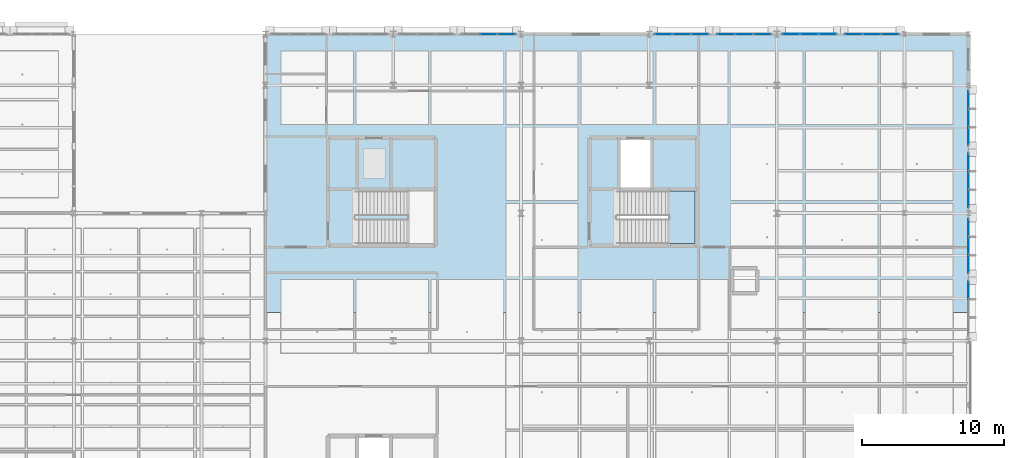
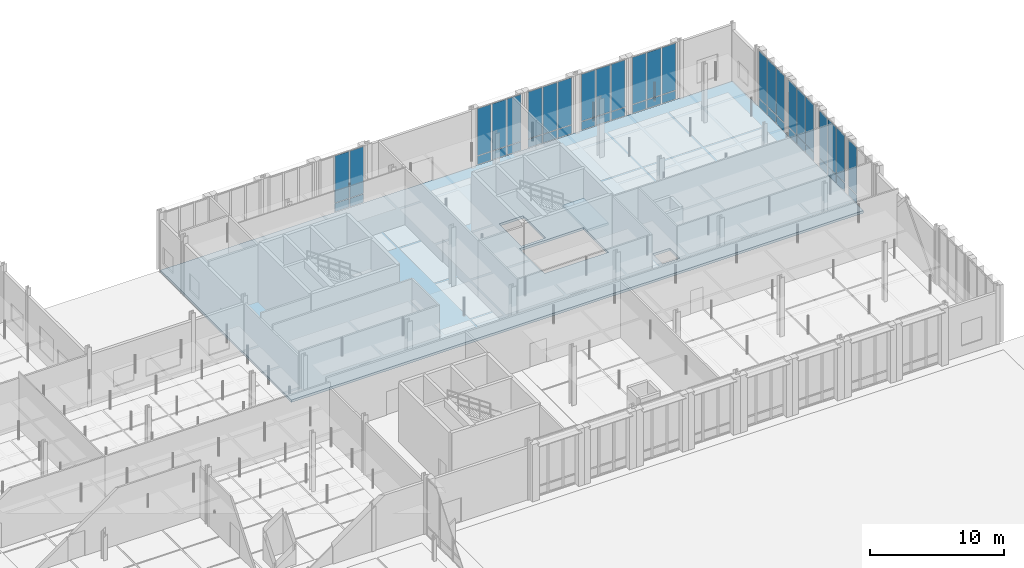
# One storey, part 75 of 180: 48 plates, 2 slabs, 10 elements without a shape of their own.
"""IFC4 building model written with IfcOpenShell, lengths in metres."""

from ifc_helpers import new_model, si_unit, direction, frame, origin, origin_2d, place, context, subcontext, project, spatial, polyline, rectangle, outline, extrude, material, layer, layer_set, type_object, element, aggregate, save


model = new_model("IFC4")

# Units and contexts
model_context = context("Model", 3, precision=1e-05, world=origin(), true_north=direction((0.0, 1.0)))
body_context = subcontext(model_context, "Body", "Model", "MODEL_VIEW")
ifc_project = project(units=[si_unit("LENGTHUNIT", "METRE"), si_unit("AREAUNIT", "SQUARE_METRE"), si_unit("VOLUMEUNIT", "CUBIC_METRE"), si_unit("PLANEANGLEUNIT", "RADIAN"), si_unit("MASSUNIT", "GRAM", prefix="KILO"), si_unit("THERMODYNAMICTEMPERATUREUNIT", "KELVIN"), si_unit("POWERUNIT", "WATT")], contexts=[model_context])

# Site, building, storey
site_placement = place(None, origin())
site = spatial("IfcSite", under=ifc_project, at=site_placement, CompositionType="ELEMENT")
building_placement = place(site_placement, origin())
building = spatial("IfcBuilding", under=site, at=building_placement, Name="Tallowbark Science Centre", CompositionType="ELEMENT")
storey_placement = place(building_placement, origin())
storey = spatial("IfcBuildingStorey", under=building, at=storey_placement, Name="L00", CompositionType="ELEMENT", Elevation=0.0)

# Curtain wall, plates
ifc_material_1 = material(Name="Unitised Thermally Broken Aluminium and Low-E Double Glazing", Category="aluminium")
curtain_wall_type = type_object("IfcCurtainWallType", Name="CW-SYS-FACADE", PredefinedType="NOTDEFINED", material=ifc_material_1)
curtain_wall_1_placement = place(storey_placement, origin())
curtain_wall_1 = element("IfcCurtainWall", 1, at=curtain_wall_1_placement, inside=storey, type_object=curtain_wall_type, Name="Unitised Curtain Wall OBS-N-121A CW-L00-094", PredefinedType="NOTDEFINED")
ifc_material_2 = material(Name="Double Glazed Argon Low-E Vision Glass", Category="glass")
ifc_layer_1 = layer(ifc_material_2, 0.028076171875)
ifc_layer_set_1 = layer_set([ifc_layer_1], Name="Double Glazed Argon Low-E Vision Glass")
plate_type_1 = type_object("IfcPlateType", Name="CWP-GLZ-28", PredefinedType="CURTAIN_PANEL", material=ifc_layer_set_1)
plate_1_placement = place(storey_placement, frame((129.483642578125, 111.60009765625, 0.054931640625), z_axis=(0.0, 0.0, 1.0), x_axis=(-1.0, 0.0, 0.0)))
plate_1 = element("IfcPlate", 2, at=plate_1_placement, type_object=plate_type_1, Name="CW-01 panel 1.1", PredefinedType="CURTAIN_PANEL", context=body_context, shape_type="SweptSolid", body=[
    extrude(rectangle(XDim=1.202392578125, YDim=0.028076171875, at=origin_2d()), origin(), (0.0, 0.0, 1.0), 0.767578125),
])
plate_2_placement = place(storey_placement, frame((129.483642578125, 111.60009765625, 0.87744140625), z_axis=(0.0, 0.0, 1.0), x_axis=(-1.0, 0.0, 0.0)))
plate_2 = element("IfcPlate", 3, at=plate_2_placement, type_object=plate_type_1, Name="CW-01 panel 1.2", PredefinedType="CURTAIN_PANEL", context=body_context, shape_type="SweptSolid", body=[
    extrude(rectangle(XDim=1.202392578125, YDim=0.028076171875, at=origin_2d()), origin(), (0.0, 0.0, 1.0), 4.28759765625),
])
plate_3_placement = place(storey_placement, frame((128.199951171875, 111.60009765625, 0.054931640625), z_axis=(0.0, 0.0, 1.0), x_axis=(-1.0, 0.0, 0.0)))
plate_3 = element("IfcPlate", 4, at=plate_3_placement, type_object=plate_type_1, Name="CW-01 panel 2.1", PredefinedType="CURTAIN_PANEL", context=body_context, shape_type="SweptSolid", body=[
    extrude(rectangle(XDim=1.235107421875, YDim=0.028076171875, at=origin_2d()), origin(), (0.0, 0.0, 1.0), 0.767578125),
])
plate_4_placement = place(storey_placement, frame((128.199951171875, 111.60009765625, 0.87744140625), z_axis=(0.0, 0.0, 1.0), x_axis=(-1.0, 0.0, 0.0)))
plate_4 = element("IfcPlate", 5, at=plate_4_placement, type_object=plate_type_1, Name="CW-01 panel 2.2", PredefinedType="CURTAIN_PANEL", context=body_context, shape_type="SweptSolid", body=[
    extrude(rectangle(XDim=1.235107421875, YDim=0.028076171875, at=origin_2d()), origin(), (0.0, 0.0, 1.0), 4.28759765625),
])
aggregate(curtain_wall_1, [plate_1, plate_2, plate_3, plate_4])

curtain_wall_2_placement = place(storey_placement, origin())
curtain_wall_2 = element("IfcCurtainWall", 6, at=curtain_wall_2_placement, inside=storey, type_object=curtain_wall_type, Name="Unitised Curtain Wall OBS-N-139A CW-L00-100", PredefinedType="NOTDEFINED")
plate_5_placement = place(storey_placement, frame((147.483642578125, 111.60009765625, 0.054931640625), z_axis=(0.0, 0.0, 1.0), x_axis=(-1.0, 0.0, 0.0)))
plate_5 = element("IfcPlate", 7, at=plate_5_placement, type_object=plate_type_1, Name="CW-01 panel 1.1", PredefinedType="CURTAIN_PANEL", context=body_context, shape_type="SweptSolid", body=[
    extrude(rectangle(XDim=1.202392578125, YDim=0.028076171875, at=origin_2d()), origin(), (0.0, 0.0, 1.0), 0.767578125),
])
plate_6_placement = place(storey_placement, frame((147.483642578125, 111.60009765625, 0.87744140625), z_axis=(0.0, 0.0, 1.0), x_axis=(-1.0, 0.0, 0.0)))
plate_6 = element("IfcPlate", 8, at=plate_6_placement, type_object=plate_type_1, Name="CW-01 panel 1.2", PredefinedType="CURTAIN_PANEL", context=body_context, shape_type="SweptSolid", body=[
    extrude(rectangle(XDim=1.202392578125, YDim=0.028076171875, at=origin_2d()), origin(), (0.0, 0.0, 1.0), 4.28759765625),
])
plate_7_placement = place(storey_placement, frame((146.199951171875, 111.60009765625, 0.054931640625), z_axis=(0.0, 0.0, 1.0), x_axis=(-1.0, 0.0, 0.0)))
plate_7 = element("IfcPlate", 9, at=plate_7_placement, type_object=plate_type_1, Name="CW-01 panel 2.1", PredefinedType="CURTAIN_PANEL", context=body_context, shape_type="SweptSolid", body=[
    extrude(rectangle(XDim=1.235107421875, YDim=0.028076171875, at=origin_2d()), origin(), (0.0, 0.0, 1.0), 0.767578125),
])
plate_8_placement = place(storey_placement, frame((146.199951171875, 111.60009765625, 0.87744140625), z_axis=(0.0, 0.0, 1.0), x_axis=(-1.0, 0.0, 0.0)))
plate_8 = element("IfcPlate", 10, at=plate_8_placement, type_object=plate_type_1, Name="CW-01 panel 2.2", PredefinedType="CURTAIN_PANEL", context=body_context, shape_type="SweptSolid", body=[
    extrude(rectangle(XDim=1.235107421875, YDim=0.028076171875, at=origin_2d()), origin(), (0.0, 0.0, 1.0), 4.28759765625),
])
plate_9_placement = place(storey_placement, frame((144.916259765625, 111.60009765625, 0.054931640625), z_axis=(0.0, 0.0, 1.0), x_axis=(-1.0, 0.0, 0.0)))
plate_9 = element("IfcPlate", 11, at=plate_9_placement, type_object=plate_type_1, Name="CW-01 panel 3.1", PredefinedType="CURTAIN_PANEL", context=body_context, shape_type="SweptSolid", body=[
    extrude(rectangle(XDim=1.202392578125, YDim=0.028076171875, at=origin_2d()), origin(), (0.0, 0.0, 1.0), 0.767578125),
])
plate_10_placement = place(storey_placement, frame((144.916259765625, 111.60009765625, 0.87744140625), z_axis=(0.0, 0.0, 1.0), x_axis=(-1.0, 0.0, 0.0)))
plate_10 = element("IfcPlate", 12, at=plate_10_placement, type_object=plate_type_1, Name="CW-01 panel 3.2", PredefinedType="CURTAIN_PANEL", context=body_context, shape_type="SweptSolid", body=[
    extrude(rectangle(XDim=1.202392578125, YDim=0.028076171875, at=origin_2d()), origin(), (0.0, 0.0, 1.0), 4.28759765625),
])
aggregate(curtain_wall_2, [plate_5, plate_6, plate_7, plate_8, plate_9, plate_10])

curtain_wall_3_placement = place(storey_placement, origin())
curtain_wall_3 = element("IfcCurtainWall", 13, at=curtain_wall_3_placement, inside=storey, type_object=curtain_wall_type, Name="Unitised Curtain Wall OBS-N-139B CW-L00-101", PredefinedType="NOTDEFINED")
plate_11_placement = place(storey_placement, frame((143.083740234375, 111.60009765625, 0.054931640625), z_axis=(0.0, 0.0, 1.0), x_axis=(-1.0, 0.0, 0.0)))
plate_11 = element("IfcPlate", 14, at=plate_11_placement, type_object=plate_type_1, Name="CW-01 panel 1.1", PredefinedType="CURTAIN_PANEL", context=body_context, shape_type="SweptSolid", body=[
    extrude(rectangle(XDim=1.202392578125, YDim=0.028076171875, at=origin_2d()), origin(), (0.0, 0.0, 1.0), 0.767578125),
])
plate_12_placement = place(storey_placement, frame((143.083740234375, 111.60009765625, 0.87744140625), z_axis=(0.0, 0.0, 1.0), x_axis=(-1.0, 0.0, 0.0)))
plate_12 = element("IfcPlate", 15, at=plate_12_placement, type_object=plate_type_1, Name="CW-01 panel 1.2", PredefinedType="CURTAIN_PANEL", context=body_context, shape_type="SweptSolid", body=[
    extrude(rectangle(XDim=1.202392578125, YDim=0.028076171875, at=origin_2d()), origin(), (0.0, 0.0, 1.0), 4.28759765625),
])
plate_13_placement = place(storey_placement, frame((141.800048828125, 111.60009765625, 0.054931640625), z_axis=(0.0, 0.0, 1.0), x_axis=(-1.0, 0.0, 0.0)))
plate_13 = element("IfcPlate", 16, at=plate_13_placement, type_object=plate_type_1, Name="CW-01 panel 2.1", PredefinedType="CURTAIN_PANEL", context=body_context, shape_type="SweptSolid", body=[
    extrude(rectangle(XDim=1.235107421875, YDim=0.028076171875, at=origin_2d()), origin(), (0.0, 0.0, 1.0), 0.767578125),
])
plate_14_placement = place(storey_placement, frame((141.800048828125, 111.60009765625, 0.87744140625), z_axis=(0.0, 0.0, 1.0), x_axis=(-1.0, 0.0, 0.0)))
plate_14 = element("IfcPlate", 17, at=plate_14_placement, type_object=plate_type_1, Name="CW-01 panel 2.2", PredefinedType="CURTAIN_PANEL", context=body_context, shape_type="SweptSolid", body=[
    extrude(rectangle(XDim=1.235107421875, YDim=0.028076171875, at=origin_2d()), origin(), (0.0, 0.0, 1.0), 4.28759765625),
])
plate_15_placement = place(storey_placement, frame((140.516357421875, 111.60009765625, 0.054931640625), z_axis=(0.0, 0.0, 1.0), x_axis=(-1.0, 0.0, 0.0)))
plate_15 = element("IfcPlate", 18, at=plate_15_placement, type_object=plate_type_1, Name="CW-01 panel 3.1", PredefinedType="CURTAIN_PANEL", context=body_context, shape_type="SweptSolid", body=[
    extrude(rectangle(XDim=1.202392578125, YDim=0.028076171875, at=origin_2d()), origin(), (0.0, 0.0, 1.0), 0.767578125),
])
plate_16_placement = place(storey_placement, frame((140.516357421875, 111.60009765625, 0.87744140625), z_axis=(0.0, 0.0, 1.0), x_axis=(-1.0, 0.0, 0.0)))
plate_16 = element("IfcPlate", 19, at=plate_16_placement, type_object=plate_type_1, Name="CW-01 panel 3.2", PredefinedType="CURTAIN_PANEL", context=body_context, shape_type="SweptSolid", body=[
    extrude(rectangle(XDim=1.202392578125, YDim=0.028076171875, at=origin_2d()), origin(), (0.0, 0.0, 1.0), 4.28759765625),
])
aggregate(curtain_wall_3, [plate_11, plate_12, plate_13, plate_14, plate_15, plate_16])

curtain_wall_4_placement = place(storey_placement, origin())
curtain_wall_4 = element("IfcCurtainWall", 20, at=curtain_wall_4_placement, inside=storey, type_object=curtain_wall_type, Name="Unitised Curtain Wall OBS-N-148A CW-L00-104", PredefinedType="NOTDEFINED")
plate_17_placement = place(storey_placement, frame((156.483642578125, 111.60009765625, 0.054931640625), z_axis=(0.0, 0.0, 1.0), x_axis=(-1.0, 0.0, 0.0)))
plate_17 = element("IfcPlate", 21, at=plate_17_placement, type_object=plate_type_1, Name="CW-01 panel 1.1", PredefinedType="CURTAIN_PANEL", context=body_context, shape_type="SweptSolid", body=[
    extrude(rectangle(XDim=1.202392578125, YDim=0.028076171875, at=origin_2d()), origin(), (0.0, 0.0, 1.0), 0.767578125),
])
plate_18_placement = place(storey_placement, frame((156.483642578125, 111.60009765625, 0.87744140625), z_axis=(0.0, 0.0, 1.0), x_axis=(-1.0, 0.0, 0.0)))
plate_18 = element("IfcPlate", 22, at=plate_18_placement, type_object=plate_type_1, Name="CW-01 panel 1.2", PredefinedType="CURTAIN_PANEL", context=body_context, shape_type="SweptSolid", body=[
    extrude(rectangle(XDim=1.202392578125, YDim=0.028076171875, at=origin_2d()), origin(), (0.0, 0.0, 1.0), 4.28759765625),
])
plate_19_placement = place(storey_placement, frame((155.199951171875, 111.60009765625, 0.054931640625), z_axis=(0.0, 0.0, 1.0), x_axis=(-1.0, 0.0, 0.0)))
plate_19 = element("IfcPlate", 23, at=plate_19_placement, type_object=plate_type_1, Name="CW-01 panel 2.1", PredefinedType="CURTAIN_PANEL", context=body_context, shape_type="SweptSolid", body=[
    extrude(rectangle(XDim=1.235107421875, YDim=0.028076171875, at=origin_2d()), origin(), (0.0, 0.0, 1.0), 0.767578125),
])
plate_20_placement = place(storey_placement, frame((155.199951171875, 111.60009765625, 0.87744140625), z_axis=(0.0, 0.0, 1.0), x_axis=(-1.0, 0.0, 0.0)))
plate_20 = element("IfcPlate", 24, at=plate_20_placement, type_object=plate_type_1, Name="CW-01 panel 2.2", PredefinedType="CURTAIN_PANEL", context=body_context, shape_type="SweptSolid", body=[
    extrude(rectangle(XDim=1.235107421875, YDim=0.028076171875, at=origin_2d()), origin(), (0.0, 0.0, 1.0), 4.28759765625),
])
plate_21_placement = place(storey_placement, frame((153.916259765625, 111.60009765625, 0.054931640625), z_axis=(0.0, 0.0, 1.0), x_axis=(-1.0, 0.0, 0.0)))
plate_21 = element("IfcPlate", 25, at=plate_21_placement, type_object=plate_type_1, Name="CW-01 panel 3.1", PredefinedType="CURTAIN_PANEL", context=body_context, shape_type="SweptSolid", body=[
    extrude(rectangle(XDim=1.202392578125, YDim=0.028076171875, at=origin_2d()), origin(), (0.0, 0.0, 1.0), 0.767578125),
])
plate_22_placement = place(storey_placement, frame((153.916259765625, 111.60009765625, 0.87744140625), z_axis=(0.0, 0.0, 1.0), x_axis=(-1.0, 0.0, 0.0)))
plate_22 = element("IfcPlate", 26, at=plate_22_placement, type_object=plate_type_1, Name="CW-01 panel 3.2", PredefinedType="CURTAIN_PANEL", context=body_context, shape_type="SweptSolid", body=[
    extrude(rectangle(XDim=1.202392578125, YDim=0.028076171875, at=origin_2d()), origin(), (0.0, 0.0, 1.0), 4.28759765625),
])
aggregate(curtain_wall_4, [plate_17, plate_18, plate_19, plate_20, plate_21, plate_22])

curtain_wall_5_placement = place(storey_placement, origin())
curtain_wall_5 = element("IfcCurtainWall", 27, at=curtain_wall_5_placement, inside=storey, type_object=curtain_wall_type, Name="Unitised Curtain Wall OBS-E-90B CW-L00-109", PredefinedType="NOTDEFINED")
plate_23_placement = place(storey_placement, frame((162.0, 95.416259765625, 0.054931640625), z_axis=(0.0, 0.0, 1.0), x_axis=(0.0, 1.0, 0.0)))
plate_23 = element("IfcPlate", 28, at=plate_23_placement, type_object=plate_type_1, Name="CW-01 panel 1.1", PredefinedType="CURTAIN_PANEL", context=body_context, shape_type="SweptSolid", body=[
    extrude(rectangle(XDim=1.202392578125, YDim=0.028076171875, at=origin_2d()), origin(), (0.0, 0.0, 1.0), 0.767578125),
])
plate_24_placement = place(storey_placement, frame((162.0, 95.416259765625, 0.87744140625), z_axis=(0.0, 0.0, 1.0), x_axis=(0.0, 1.0, 0.0)))
plate_24 = element("IfcPlate", 29, at=plate_24_placement, type_object=plate_type_1, Name="CW-01 panel 1.2", PredefinedType="CURTAIN_PANEL", context=body_context, shape_type="SweptSolid", body=[
    extrude(rectangle(XDim=1.202392578125, YDim=0.028076171875, at=origin_2d()), origin(), (0.0, 0.0, 1.0), 4.28759765625),
])
plate_25_placement = place(storey_placement, frame((162.0, 96.699951171875, 0.054931640625), z_axis=(0.0, 0.0, 1.0), x_axis=(0.0, 1.0, 0.0)))
plate_25 = element("IfcPlate", 30, at=plate_25_placement, type_object=plate_type_1, Name="CW-01 panel 2.1", PredefinedType="CURTAIN_PANEL", context=body_context, shape_type="SweptSolid", body=[
    extrude(rectangle(XDim=1.235107421875, YDim=0.028076171875, at=origin_2d()), origin(), (0.0, 0.0, 1.0), 0.767578125),
])
plate_26_placement = place(storey_placement, frame((162.0, 96.699951171875, 0.87744140625), z_axis=(0.0, 0.0, 1.0), x_axis=(0.0, 1.0, 0.0)))
plate_26 = element("IfcPlate", 31, at=plate_26_placement, type_object=plate_type_1, Name="CW-01 panel 2.2", PredefinedType="CURTAIN_PANEL", context=body_context, shape_type="SweptSolid", body=[
    extrude(rectangle(XDim=1.235107421875, YDim=0.028076171875, at=origin_2d()), origin(), (0.0, 0.0, 1.0), 4.28759765625),
])
plate_27_placement = place(storey_placement, frame((162.0, 97.983642578125, 0.054931640625), z_axis=(0.0, 0.0, 1.0), x_axis=(0.0, 1.0, 0.0)))
plate_27 = element("IfcPlate", 32, at=plate_27_placement, type_object=plate_type_1, Name="CW-01 panel 3.1", PredefinedType="CURTAIN_PANEL", context=body_context, shape_type="SweptSolid", body=[
    extrude(rectangle(XDim=1.202392578125, YDim=0.028076171875, at=origin_2d()), origin(), (0.0, 0.0, 1.0), 0.767578125),
])
plate_28_placement = place(storey_placement, frame((162.0, 97.983642578125, 0.87744140625), z_axis=(0.0, 0.0, 1.0), x_axis=(0.0, 1.0, 0.0)))
plate_28 = element("IfcPlate", 33, at=plate_28_placement, type_object=plate_type_1, Name="CW-01 panel 3.2", PredefinedType="CURTAIN_PANEL", context=body_context, shape_type="SweptSolid", body=[
    extrude(rectangle(XDim=1.202392578125, YDim=0.028076171875, at=origin_2d()), origin(), (0.0, 0.0, 1.0), 4.28759765625),
])
aggregate(curtain_wall_5, [plate_23, plate_24, plate_25, plate_26, plate_27, plate_28])

curtain_wall_6_placement = place(storey_placement, origin())
curtain_wall_6 = element("IfcCurtainWall", 34, at=curtain_wall_6_placement, inside=storey, type_object=curtain_wall_type, Name="Unitised Curtain Wall OBS-E-99A CW-L00-110", PredefinedType="NOTDEFINED")
plate_29_placement = place(storey_placement, frame((162.0, 100.016357421875, 0.054931640625), z_axis=(0.0, 0.0, 1.0), x_axis=(0.0, 1.0, 0.0)))
plate_29 = element("IfcPlate", 35, at=plate_29_placement, type_object=plate_type_1, Name="CW-01 panel 1.1", PredefinedType="CURTAIN_PANEL", context=body_context, shape_type="SweptSolid", body=[
    extrude(rectangle(XDim=1.202392578125, YDim=0.028076171875, at=origin_2d()), origin(), (0.0, 0.0, 1.0), 0.767578125),
])
plate_30_placement = place(storey_placement, frame((162.0, 100.016357421875, 0.87744140625), z_axis=(0.0, 0.0, 1.0), x_axis=(0.0, 1.0, 0.0)))
plate_30 = element("IfcPlate", 36, at=plate_30_placement, type_object=plate_type_1, Name="CW-01 panel 1.2", PredefinedType="CURTAIN_PANEL", context=body_context, shape_type="SweptSolid", body=[
    extrude(rectangle(XDim=1.202392578125, YDim=0.028076171875, at=origin_2d()), origin(), (0.0, 0.0, 1.0), 4.28759765625),
])
plate_31_placement = place(storey_placement, frame((162.0, 101.300048828125, 0.054931640625), z_axis=(0.0, 0.0, 1.0), x_axis=(0.0, 1.0, 0.0)))
plate_31 = element("IfcPlate", 37, at=plate_31_placement, type_object=plate_type_1, Name="CW-01 panel 2.1", PredefinedType="CURTAIN_PANEL", context=body_context, shape_type="SweptSolid", body=[
    extrude(rectangle(XDim=1.235107421875, YDim=0.028076171875, at=origin_2d()), origin(), (0.0, 0.0, 1.0), 0.767578125),
])
plate_32_placement = place(storey_placement, frame((162.0, 101.300048828125, 0.87744140625), z_axis=(0.0, 0.0, 1.0), x_axis=(0.0, 1.0, 0.0)))
plate_32 = element("IfcPlate", 38, at=plate_32_placement, type_object=plate_type_1, Name="CW-01 panel 2.2", PredefinedType="CURTAIN_PANEL", context=body_context, shape_type="SweptSolid", body=[
    extrude(rectangle(XDim=1.235107421875, YDim=0.028076171875, at=origin_2d()), origin(), (0.0, 0.0, 1.0), 4.28759765625),
])
plate_33_placement = place(storey_placement, frame((162.0, 102.583740234375, 0.054931640625), z_axis=(0.0, 0.0, 1.0), x_axis=(0.0, 1.0, 0.0)))
plate_33 = element("IfcPlate", 39, at=plate_33_placement, type_object=plate_type_1, Name="CW-01 panel 3.1", PredefinedType="CURTAIN_PANEL", context=body_context, shape_type="SweptSolid", body=[
    extrude(rectangle(XDim=1.202392578125, YDim=0.028076171875, at=origin_2d()), origin(), (0.0, 0.0, 1.0), 0.767578125),
])
plate_34_placement = place(storey_placement, frame((162.0, 102.583740234375, 0.87744140625), z_axis=(0.0, 0.0, 1.0), x_axis=(0.0, 1.0, 0.0)))
plate_34 = element("IfcPlate", 40, at=plate_34_placement, type_object=plate_type_1, Name="CW-01 panel 3.2", PredefinedType="CURTAIN_PANEL", context=body_context, shape_type="SweptSolid", body=[
    extrude(rectangle(XDim=1.202392578125, YDim=0.028076171875, at=origin_2d()), origin(), (0.0, 0.0, 1.0), 4.28759765625),
])
aggregate(curtain_wall_6, [plate_29, plate_30, plate_31, plate_32, plate_33, plate_34])

curtain_wall_7_placement = place(storey_placement, origin())
curtain_wall_7 = element("IfcCurtainWall", 41, at=curtain_wall_7_placement, inside=storey, type_object=curtain_wall_type, Name="Unitised Curtain Wall OBS-N-148B CW-L00-105", PredefinedType="NOTDEFINED")
ifc_material_3 = material(Name="Ceramic-Fritted Insulated Glass Spandrel Panel", Category="glass")
ifc_layer_2 = layer(ifc_material_3, 0.031982421875)
ifc_layer_set_2 = layer_set([ifc_layer_2], Name="Ceramic-Fritted Insulated Glass Spandrel Panel")
plate_type_2 = type_object("IfcPlateType", Name="CWP-SPN-32", PredefinedType="CURTAIN_PANEL", material=ifc_layer_set_2)
plate_35_placement = place(storey_placement, frame((152.083740234375, 111.60009765625, 0.054931640625), z_axis=(0.0, 0.0, 1.0), x_axis=(-1.0, 0.0, 0.0)))
plate_35 = element("IfcPlate", 42, at=plate_35_placement, type_object=plate_type_2, Name="CW-01 panel 1.1", PredefinedType="CURTAIN_PANEL", context=body_context, shape_type="SweptSolid", body=[
    extrude(rectangle(XDim=1.202392578125, YDim=0.031982421875, at=origin_2d()), origin(), (0.0, 0.0, 1.0), 0.767578125),
])
plate_36_placement = place(storey_placement, frame((152.083740234375, 111.60009765625, 0.87744140625), z_axis=(0.0, 0.0, 1.0), x_axis=(-1.0, 0.0, 0.0)))
plate_36 = element("IfcPlate", 43, at=plate_36_placement, type_object=plate_type_2, Name="CW-01 panel 1.2", PredefinedType="CURTAIN_PANEL", context=body_context, shape_type="SweptSolid", body=[
    extrude(rectangle(XDim=1.202392578125, YDim=0.031982421875, at=origin_2d()), origin(), (0.0, 0.0, 1.0), 4.28759765625),
])
plate_37_placement = place(storey_placement, frame((150.800048828125, 111.60009765625, 0.054931640625), z_axis=(0.0, 0.0, 1.0), x_axis=(-1.0, 0.0, 0.0)))
plate_37 = element("IfcPlate", 44, at=plate_37_placement, type_object=plate_type_2, Name="CW-01 panel 2.1", PredefinedType="CURTAIN_PANEL", context=body_context, shape_type="SweptSolid", body=[
    extrude(rectangle(XDim=1.235107421875, YDim=0.031982421875, at=origin_2d()), origin(), (0.0, 0.0, 1.0), 0.767578125),
])
plate_38_placement = place(storey_placement, frame((150.800048828125, 111.60009765625, 0.87744140625), z_axis=(0.0, 0.0, 1.0), x_axis=(-1.0, 0.0, 0.0)))
plate_38 = element("IfcPlate", 45, at=plate_38_placement, type_object=plate_type_2, Name="CW-01 panel 2.2", PredefinedType="CURTAIN_PANEL", context=body_context, shape_type="SweptSolid", body=[
    extrude(rectangle(XDim=1.235107421875, YDim=0.031982421875, at=origin_2d()), origin(), (0.0, 0.0, 1.0), 4.28759765625),
])
plate_39_placement = place(storey_placement, frame((149.516357421875, 111.60009765625, 0.054931640625), z_axis=(0.0, 0.0, 1.0), x_axis=(-1.0, 0.0, 0.0)))
plate_39 = element("IfcPlate", 46, at=plate_39_placement, type_object=plate_type_2, Name="CW-01 panel 3.1", PredefinedType="CURTAIN_PANEL", context=body_context, shape_type="SweptSolid", body=[
    extrude(rectangle(XDim=1.202392578125, YDim=0.031982421875, at=origin_2d()), origin(), (0.0, 0.0, 1.0), 0.767578125),
])
plate_40_placement = place(storey_placement, frame((149.516357421875, 111.60009765625, 0.87744140625), z_axis=(0.0, 0.0, 1.0), x_axis=(-1.0, 0.0, 0.0)))
plate_40 = element("IfcPlate", 47, at=plate_40_placement, type_object=plate_type_2, Name="CW-01 panel 3.2", PredefinedType="CURTAIN_PANEL", context=body_context, shape_type="SweptSolid", body=[
    extrude(rectangle(XDim=1.202392578125, YDim=0.031982421875, at=origin_2d()), origin(), (0.0, 0.0, 1.0), 4.28759765625),
])
aggregate(curtain_wall_7, [plate_35, plate_36, plate_37, plate_38, plate_39, plate_40])

curtain_wall_8_placement = place(storey_placement, origin())
curtain_wall_8 = element("IfcCurtainWall", 48, at=curtain_wall_8_placement, inside=storey, type_object=curtain_wall_type, Name="Unitised Curtain Wall OBS-E-90A CW-L00-108", PredefinedType="NOTDEFINED")
plate_41_placement = place(storey_placement, frame((162.0, 93.583740234375, 0.054931640625), z_axis=(0.0, 0.0, 1.0), x_axis=(0.0, 1.0, 0.0)))
plate_41 = element("IfcPlate", 49, at=plate_41_placement, type_object=plate_type_2, Name="CW-01 panel 3.1", PredefinedType="CURTAIN_PANEL", context=body_context, shape_type="SweptSolid", body=[
    extrude(rectangle(XDim=1.202392578125, YDim=0.031982421875, at=origin_2d()), origin(), (0.0, 0.0, 1.0), 0.767578125),
])
plate_42_placement = place(storey_placement, frame((162.0, 93.583740234375, 0.87744140625), z_axis=(0.0, 0.0, 1.0), x_axis=(0.0, 1.0, 0.0)))
plate_42 = element("IfcPlate", 50, at=plate_42_placement, type_object=plate_type_2, Name="CW-01 panel 3.2", PredefinedType="CURTAIN_PANEL", context=body_context, shape_type="SweptSolid", body=[
    extrude(rectangle(XDim=1.202392578125, YDim=0.031982421875, at=origin_2d()), origin(), (0.0, 0.0, 1.0), 4.28759765625),
])
aggregate(curtain_wall_8, [plate_41, plate_42])

curtain_wall_9_placement = place(storey_placement, origin())
curtain_wall_9 = element("IfcCurtainWall", 51, at=curtain_wall_9_placement, inside=storey, type_object=curtain_wall_type, Name="Unitised Curtain Wall OBS-E-99B CW-L00-111", PredefinedType="NOTDEFINED")
plate_43_placement = place(storey_placement, frame((162.0, 104.416259765625, 0.054931640625), z_axis=(0.0, 0.0, 1.0), x_axis=(0.0, 1.0, 0.0)))
plate_43 = element("IfcPlate", 52, at=plate_43_placement, type_object=plate_type_2, Name="CW-01 panel 1.1", PredefinedType="CURTAIN_PANEL", context=body_context, shape_type="SweptSolid", body=[
    extrude(rectangle(XDim=1.202392578125, YDim=0.031982421875, at=origin_2d()), origin(), (0.0, 0.0, 1.0), 0.767578125),
])
plate_44_placement = place(storey_placement, frame((162.0, 104.416259765625, 0.87744140625), z_axis=(0.0, 0.0, 1.0), x_axis=(0.0, 1.0, 0.0)))
plate_44 = element("IfcPlate", 53, at=plate_44_placement, type_object=plate_type_2, Name="CW-01 panel 1.2", PredefinedType="CURTAIN_PANEL", context=body_context, shape_type="SweptSolid", body=[
    extrude(rectangle(XDim=1.202392578125, YDim=0.031982421875, at=origin_2d()), origin(), (0.0, 0.0, 1.0), 4.28759765625),
])
plate_45_placement = place(storey_placement, frame((162.0, 105.699951171875, 0.054931640625), z_axis=(0.0, 0.0, 1.0), x_axis=(0.0, 1.0, 0.0)))
plate_45 = element("IfcPlate", 54, at=plate_45_placement, type_object=plate_type_2, Name="CW-01 panel 2.1", PredefinedType="CURTAIN_PANEL", context=body_context, shape_type="SweptSolid", body=[
    extrude(rectangle(XDim=1.235107421875, YDim=0.031982421875, at=origin_2d()), origin(), (0.0, 0.0, 1.0), 0.767578125),
])
plate_46_placement = place(storey_placement, frame((162.0, 105.699951171875, 0.87744140625), z_axis=(0.0, 0.0, 1.0), x_axis=(0.0, 1.0, 0.0)))
plate_46 = element("IfcPlate", 55, at=plate_46_placement, type_object=plate_type_2, Name="CW-01 panel 2.2", PredefinedType="CURTAIN_PANEL", context=body_context, shape_type="SweptSolid", body=[
    extrude(rectangle(XDim=1.235107421875, YDim=0.031982421875, at=origin_2d()), origin(), (0.0, 0.0, 1.0), 4.28759765625),
])
plate_47_placement = place(storey_placement, frame((162.0, 106.983642578125, 0.054931640625), z_axis=(0.0, 0.0, 1.0), x_axis=(0.0, 1.0, 0.0)))
plate_47 = element("IfcPlate", 56, at=plate_47_placement, type_object=plate_type_2, Name="CW-01 panel 3.1", PredefinedType="CURTAIN_PANEL", context=body_context, shape_type="SweptSolid", body=[
    extrude(rectangle(XDim=1.202392578125, YDim=0.031982421875, at=origin_2d()), origin(), (0.0, 0.0, 1.0), 0.767578125),
])
plate_48_placement = place(storey_placement, frame((162.0, 106.983642578125, 0.87744140625), z_axis=(0.0, 0.0, 1.0), x_axis=(0.0, 1.0, 0.0)))
plate_48 = element("IfcPlate", 57, at=plate_48_placement, type_object=plate_type_2, Name="CW-01 panel 3.2", PredefinedType="CURTAIN_PANEL", context=body_context, shape_type="SweptSolid", body=[
    extrude(rectangle(XDim=1.202392578125, YDim=0.031982421875, at=origin_2d()), origin(), (0.0, 0.0, 1.0), 4.28759765625),
])
aggregate(curtain_wall_9, [plate_43, plate_44, plate_45, plate_46, plate_47, plate_48])

# Slab
ifc_material_4 = material(Name="Concrete Grade N40 (40 MPa)", Category="concrete")
ifc_layer_3 = layer(ifc_material_4, 0.219970703125)
ifc_layer_set_3 = layer_set([ifc_layer_3], Name="Concrete Grade N40 (40 MPa)")
slab_type_1 = type_object("IfcSlabType", Name="SLB-GND-220", PredefinedType="FLOOR", material=ifc_layer_set_3)
slab_1_placement = place(storey_placement, frame((0.0, 0.0, -0.219970703125)))
element("IfcSlab", 58, at=slab_1_placement, inside=storey, type_object=slab_type_1, Name="Astronomy Wing North Slab L00 SLB-OBS-N-L00", PredefinedType="FLOOR", context=body_context, shape_type="SweptSolid", body=[
    extrude(outline(polyline([(112.52490234375, 92.0), (162.0, 92.0), (162.0, 111.60009765625), (112.52490234375, 111.60009765625), (112.52490234375, 92.0)]), holes=[polyline([(137.2099609375, 96.85009765625), (142.75, 96.85009765625), (142.75, 100.570068359375), (137.2099609375, 100.570068359375), (137.2099609375, 96.85009765625)]), polyline([(137.5, 100.820068359375), (139.60009765625, 100.820068359375), (139.60009765625, 104.14990234375), (137.5, 104.14990234375), (137.5, 100.820068359375)]), polyline([(145.5, 93.5), (147.0, 93.5), (147.0, 95.0), (145.5, 95.0), (145.5, 93.5)])]), origin(), (0.0, 0.0, 1.0), 0.219970703125),
])

# Stair, slab
stair_type = type_object("IfcStairType", Name="STR-C4", PredefinedType="HALF_TURN_STAIR", material=ifc_material_4)
stair_placement = place(storey_placement, origin())
stair = element("IfcStair", 59, at=stair_placement, inside=storey, type_object=stair_type, Name="L00 Fire Stair ST-04", PredefinedType="HALF_TURN_STAIR")
ifc_layer_4 = layer(ifc_material_4, 0.199951171875)
ifc_layer_set_4 = layer_set([ifc_layer_4], Name="Concrete Grade N40 (40 MPa)")
slab_type_2 = type_object("IfcSlabType", Name="SLB-LND-200", PredefinedType="LANDING", material=ifc_layer_set_4)
slab_2_placement = place(storey_placement, frame((0.0, 0.0, 2.5)))
slab_2 = element("IfcSlab", 60, at=slab_2_placement, type_object=slab_type_2, Name="ST-04 landing 1", PredefinedType="LANDING", context=body_context, shape_type="SweptSolid", body=[
    extrude(outline(polyline([(140.919921875, 96.85009765625), (142.75, 96.85009765625), (142.75, 100.570068359375), (140.919921875, 100.570068359375), (140.919921875, 96.85009765625)])), origin(), (0.0, 0.0, 1.0), 0.199951171875),
])
aggregate(stair, [slab_2])

save(model, "model.ifc")
